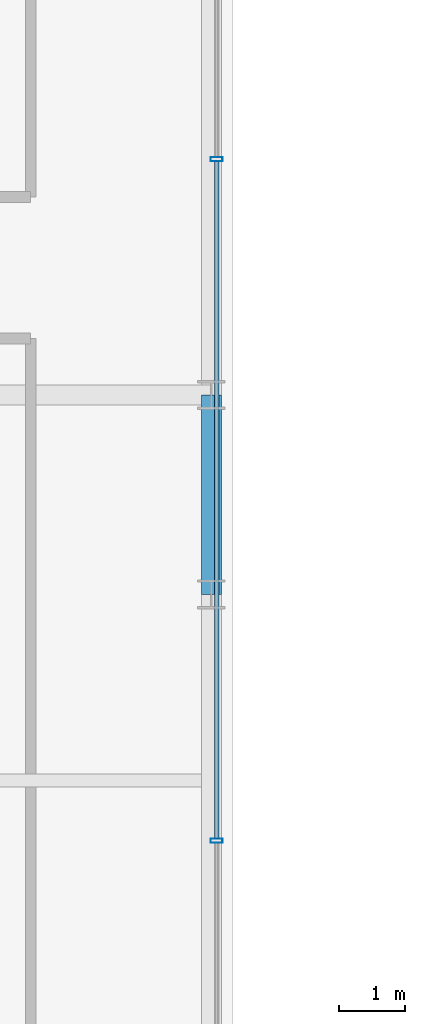
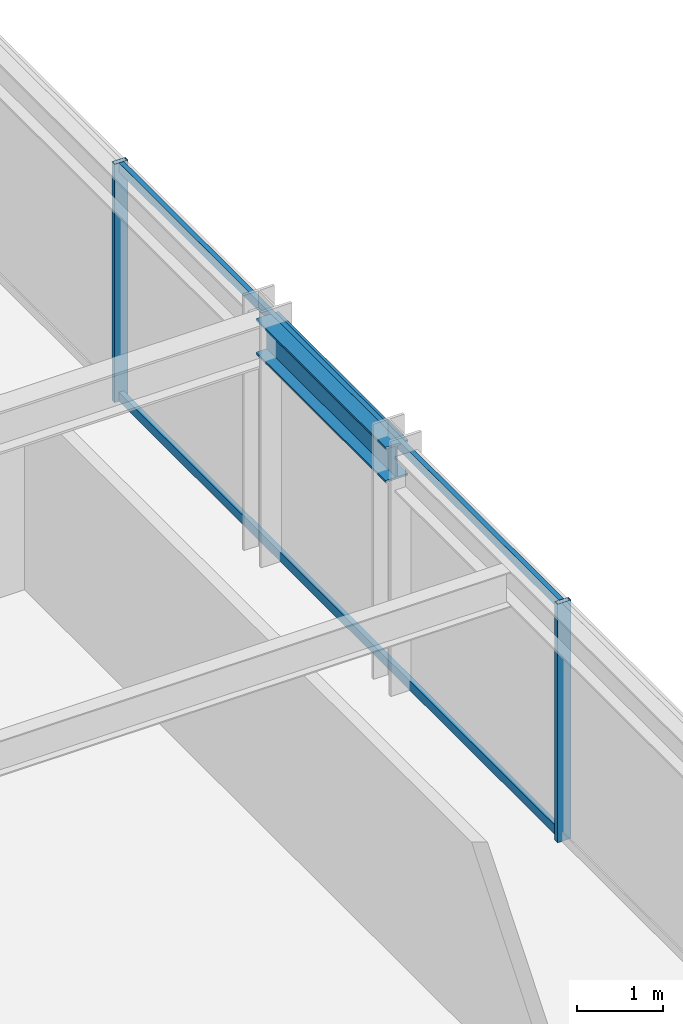
# One storey, part 16 of 36: 4 members, 1 beam, 1 element without a shape of its own.
"""IFC4 building model written with IfcOpenShell, lengths in metres."""

from ifc_helpers import new_model, si_unit, direction, frame, origin, origin_2d, place, context, subcontext, project, spatial, hollow_rectangle, i_section, extrude, source, transform, mapped, material, material_profile, profile_set, type_object, element, aggregate, save


model = new_model("IFC4")

# Units and contexts
model_context = context("Model", 3, precision=1e-05, world=origin(), true_north=direction((0.0, 1.0)))
body_context = subcontext(model_context, "Body", "Model", "MODEL_VIEW")
ifc_project = project(units=[si_unit("LENGTHUNIT", "METRE"), si_unit("AREAUNIT", "SQUARE_METRE"), si_unit("VOLUMEUNIT", "CUBIC_METRE"), si_unit("PLANEANGLEUNIT", "RADIAN"), si_unit("MASSUNIT", "GRAM", prefix="KILO")], contexts=[model_context])

# Site, building, storey
site_placement = place(None, origin())
site = spatial("IfcSite", under=ifc_project, at=site_placement, CompositionType="ELEMENT")
building_placement = place(site_placement, origin())
building = spatial("IfcBuilding", under=site, at=building_placement, Name="Nahalor Promenade Grand Hotel", CompositionType="ELEMENT")
storey_placement = place(building_placement, frame((0.0, 0.0, 72.550048828125)))
storey = spatial("IfcBuildingStorey", under=building, at=storey_placement, Name="L17", CompositionType="ELEMENT", Elevation=72.550048828125)

# Beam
ifc_material_1 = material(Name="Steel S355JR", Category="steel")
ifc_material_profile_1 = material_profile(ifc_material_1, i_section(OverallWidth=0.3, OverallDepth=0.5, WebThickness=0.0145, FlangeThickness=0.028, at=origin_2d()), Name="HEB 500")
ifc_profile_set_1 = profile_set([ifc_material_profile_1], Name="Steel S355JR")
beam_type = type_object("IfcBeamType", Name="Beam-Spandrel-HEB500", PredefinedType="SPANDREL", material=ifc_profile_set_1)
shared_shape_1 = source(origin(), body_context, "Body", "SweptSolid", [
    extrude(i_section(OverallWidth=0.3, OverallDepth=0.5, WebThickness=0.0145, FlangeThickness=0.028, at=origin_2d()), origin(), (0.0, 0.0, 1.0), 3.0),
])
beam_placement = place(storey_placement, frame((25.080078125, -8.39990234375, 3.119873046875), z_axis=(0.0, 1.0, 0.0), x_axis=(-1.0, 0.0, 0.0)))
element("IfcBeam", 1, at=beam_placement, inside=storey, type_object=beam_type, Name="BM-L17-SP-E-1", PredefinedType="SPANDREL", context=body_context, shape_type="MappedRepresentation", body=[
    mapped(shared_shape_1, transform((0.0, 0.0, 0.0), scale=1.0)),
])

# Curtain wall, members
ifc_material_2 = material(Name="Anodised Bronze Aluminium EN AW-6063 T6", Category="aluminium")
curtain_wall_type = type_object("IfcCurtainWallType", Name="CW2 Typical Hotel Flush Bronze Unitised Curtain Wall", PredefinedType="USERDEFINED", material=ifc_material_2)
curtain_wall_placement = place(storey_placement, origin())
curtain_wall = element("IfcCurtainWall", 2, at=curtain_wall_placement, inside=storey, type_object=curtain_wall_type, Name="L17 Curtain Wall CW-L17-E-1", ObjectType="UNITISED_CURTAIN_WALL", PredefinedType="USERDEFINED")
ifc_material_profile_2 = material_profile(ifc_material_2, hollow_rectangle(XDim=0.065, YDim=0.13, WallThickness=0.004, at=origin_2d()), Name="CWT 65x130x4")
ifc_profile_set_2 = profile_set([ifc_material_profile_2], Name="Anodised Bronze Aluminium EN AW-6063 T6")
member_type_1 = type_object("IfcMemberType", Name="CWT2 Typical Bronze Transom 65x130", PredefinedType="USERDEFINED", material=ifc_profile_set_2)
shared_shape_2 = source(origin(), body_context, "Body", "SweptSolid", [
    extrude(hollow_rectangle(XDim=0.065, YDim=0.13, WallThickness=0.004, at=origin_2d()), origin(), (0.0, 0.0, 1.0), 10.1884765625),
])
member_1_placement = place(storey_placement, frame((25.159912109375, -12.07421875, 0.06494140625), z_axis=(0.0, 1.0, 0.0), x_axis=(-1.0, 0.0, 0.0)))
member_1 = element("IfcMember", 3, at=member_1_placement, type_object=member_type_1, Name="CW-L17-E-1 Transom 1-0", ObjectType="TRANSOM", PredefinedType="USERDEFINED", context=body_context, shape_type="MappedRepresentation", body=[
    mapped(shared_shape_2, transform((0.0, 0.0, 0.0), scale=1.0)),
])
member_2_placement = place(storey_placement, frame((25.159912109375, -12.07421875, 3.304931640625), z_axis=(0.0, 1.0, 0.0), x_axis=(-1.0, 0.0, 0.0)))
member_2 = element("IfcMember", 4, at=member_2_placement, type_object=member_type_1, Name="CW-L17-E-1 Transom 1-1", ObjectType="TRANSOM", PredefinedType="USERDEFINED", context=body_context, shape_type="MappedRepresentation", body=[
    mapped(shared_shape_2, transform((0.0, 0.0, 0.0), scale=1.0)),
])
ifc_material_profile_3 = material_profile(ifc_material_2, hollow_rectangle(XDim=0.065, YDim=0.18, WallThickness=0.004, at=origin_2d()), Name="CWM 65x180x4")
ifc_profile_set_3 = profile_set([ifc_material_profile_3], Name="Anodised Bronze Aluminium EN AW-6063 T6")
member_type_2 = type_object("IfcMemberType", Name="CWM2 Typical Bronze Mullion 65x180", PredefinedType="MULLION", material=ifc_profile_set_3)
shared_shape_3 = source(origin(), body_context, "Body", "SweptSolid", [
    extrude(hollow_rectangle(XDim=0.065, YDim=0.18, WallThickness=0.004, at=origin_2d()), origin(), (0.0, 0.0, 1.0), 3.369873046875),
])
member_3_placement = place(storey_placement, frame((25.159912109375, -12.106689453125, 0.0), z_axis=(0.0, 0.0, 1.0), x_axis=(0.0, 1.0, 0.0)))
member_3 = element("IfcMember", 5, at=member_3_placement, type_object=member_type_2, Name="CW-L17-E-1 Mullion 1", PredefinedType="MULLION", context=body_context, shape_type="MappedRepresentation", body=[
    mapped(shared_shape_3, transform((0.0, 0.0, 0.0), scale=1.0)),
])
member_4_placement = place(storey_placement, frame((25.159912109375, -1.853271484375, 0.0), z_axis=(0.0, 0.0, 1.0), x_axis=(0.0, 1.0, 0.0)))
member_4 = element("IfcMember", 6, at=member_4_placement, type_object=member_type_2, Name="CW-L17-E-1 Mullion 2", PredefinedType="MULLION", context=body_context, shape_type="MappedRepresentation", body=[
    mapped(shared_shape_3, transform((0.0, 0.0, 0.0), scale=1.0)),
])
aggregate(curtain_wall, [member_3, member_4, member_1, member_2])

save(model, "model.ifc")
